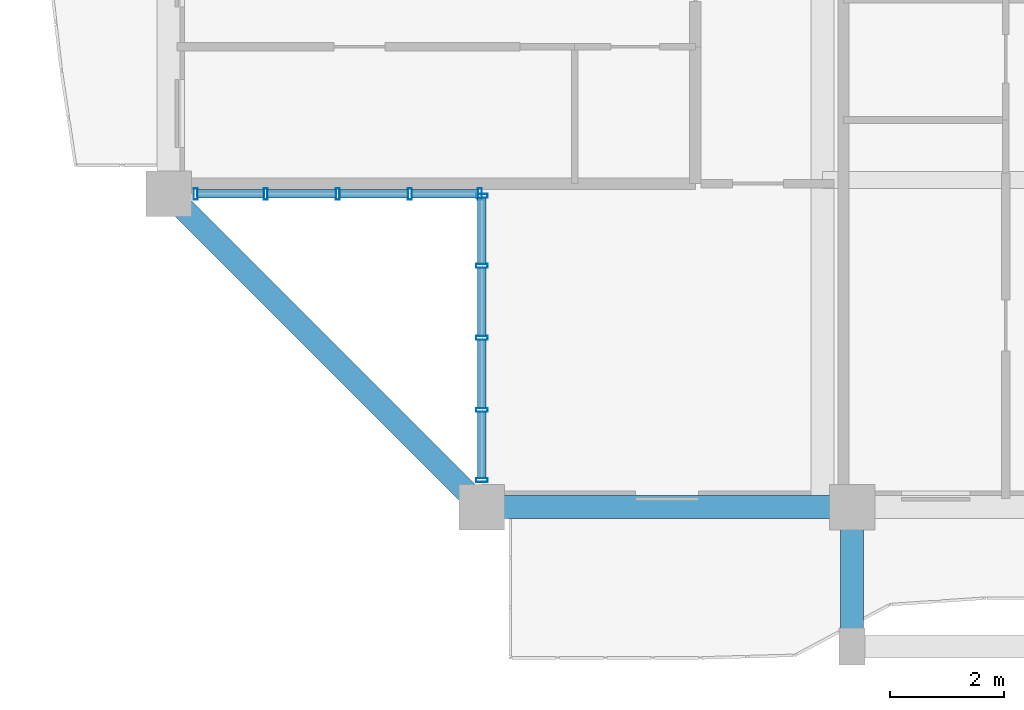
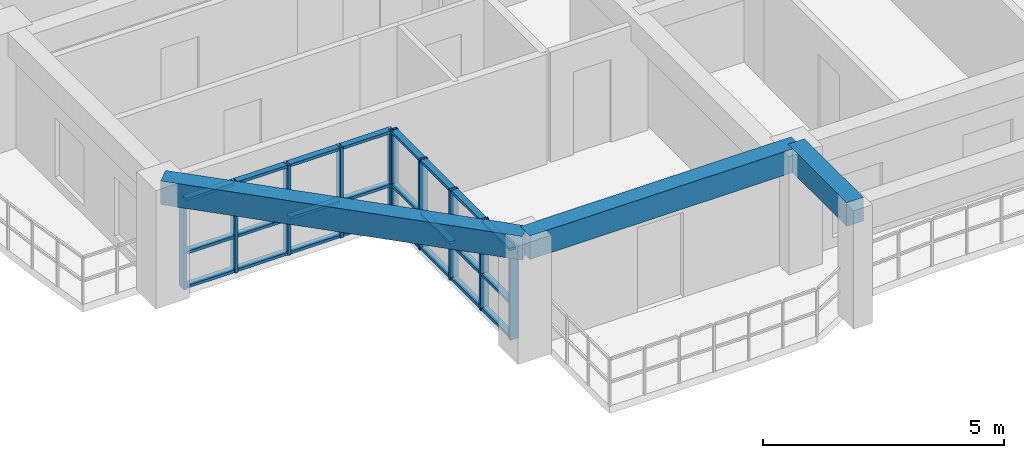
# One storey, part 2 of 22: 34 members, 3 beams, 2 elements without a shape of their own.
"""IFC4 building model written with IfcOpenShell, lengths in metres."""

from ifc_helpers import new_model, si_unit, direction, frame, origin, origin_2d, place, context, subcontext, project, spatial, rectangle, hollow_rectangle, extrude, source, transform, mapped, material, layer, layer_set, material_profile, profile_set, type_object, element, aggregate, save


model = new_model("IFC4")

# Units and contexts
model_context = context("Model", 3, precision=1e-05, world=origin(), true_north=direction((0.0, 1.0)))
body_context = subcontext(model_context, "Body", "Model", "MODEL_VIEW")
ifc_project = project(units=[si_unit("LENGTHUNIT", "METRE"), si_unit("AREAUNIT", "SQUARE_METRE"), si_unit("VOLUMEUNIT", "CUBIC_METRE"), si_unit("PLANEANGLEUNIT", "RADIAN"), si_unit("MASSUNIT", "GRAM", prefix="KILO")], contexts=[model_context])

# Site, building, storey
site_placement = place(None, origin())
site = spatial("IfcSite", under=ifc_project, at=site_placement, CompositionType="ELEMENT")
building_placement = place(site_placement, origin())
building = spatial("IfcBuilding", under=site, at=building_placement, Name="Saelheon Loggia Tower", CompositionType="ELEMENT")
storey_placement = place(building_placement, frame((0.0, 0.0, 196.60009765625)))
storey = spatial("IfcBuildingStorey", under=building, at=storey_placement, Name="L61", CompositionType="ELEMENT", Elevation=196.60009765625)

# Beams
ifc_material_1 = material(Name="Precast Concrete C45/55", Category="concrete")
ifc_material_profile_1 = material_profile(ifc_material_1, rectangle(XDim=0.39990234375, YDim=0.60009765625, at=origin_2d()), Name="RC-400x600")
ifc_profile_set_1 = profile_set([ifc_material_profile_1], Name="Precast Concrete C45/55")
beam_type_1 = type_object("IfcBeamType", Name="Beam_LoggiaTie_RC400x600", PredefinedType="BEAM", material=ifc_profile_set_1)
shared_shape_1 = source(origin(), body_context, "Body", "SweptSolid", [
    extrude(rectangle(XDim=0.39990234375, YDim=0.60009765625, at=origin_2d()), origin(), (0.0, 0.0, 1.0), 2.449951171875),
])
beam_1_placement = place(storey_placement, frame((31.5, 6.0, 2.699951171875), z_axis=(0.0, -1.0, 0.0), x_axis=(1.0, 0.0, 0.0)))
element("IfcBeam", 1, at=beam_1_placement, inside=storey, type_object=beam_type_1, Name="L61 Loggia Frame Tie Beam LP-S1", PredefinedType="BEAM", context=body_context, shape_type="MappedRepresentation", body=[
    mapped(shared_shape_1, transform((0.0, 0.0, 0.0), scale=1.0)),
])
ifc_material_2 = material(Name="Concrete C40/50", Category="concrete")
ifc_material_profile_2 = material_profile(ifc_material_2, rectangle(XDim=0.39990234375, YDim=0.60009765625, at=origin_2d()), Name="RC-400x600")
ifc_profile_set_2 = profile_set([ifc_material_profile_2], Name="Concrete C40/50")
beam_type_2 = type_object("IfcBeamType", Name="Beam_PerimUpper_RC400x600", PredefinedType="BEAM", material=ifc_profile_set_2)
shared_shape_2 = source(origin(), body_context, "Body", "SweptSolid", [
    extrude(rectangle(XDim=0.39990234375, YDim=0.60009765625, at=origin_2d()), origin(), (0.0, 0.0, 1.0), 6.5),
])
beam_2_placement = place(storey_placement, frame((25.0, 6.0, 2.699951171875), z_axis=(1.0, 0.0, 0.0), x_axis=(0.0, 1.0, 0.0)))
element("IfcBeam", 2, at=beam_2_placement, inside=storey, type_object=beam_type_2, Name="L61 Perimeter Frame Girder 01", PredefinedType="BEAM", context=body_context, shape_type="MappedRepresentation", body=[
    mapped(shared_shape_2, transform((0.0, 0.0, 0.0), scale=1.0)),
])
shared_shape_3 = source(origin(), body_context, "Body", "SweptSolid", [
    extrude(rectangle(XDim=0.39990234375, YDim=0.60009765625, at=origin_2d()), origin(), (0.0, 0.0, 1.0), 7.778076171875),
])
beam_3_placement = place(storey_placement, frame((19.5, 11.5, 2.699951171875), z_axis=(0.707106781187, -0.707106781187, 0.0), x_axis=(0.707106781187, 0.707106781187, 0.0)))
element("IfcBeam", 3, at=beam_3_placement, inside=storey, type_object=beam_type_2, Name="L61 Perimeter Frame Girder 16", PredefinedType="BEAM", context=body_context, shape_type="MappedRepresentation", body=[
    mapped(shared_shape_3, transform((0.0, 0.0, 0.0), scale=1.0)),
])

# Curtain wall, members
ifc_material_3 = material(Name="High-Wind Aluminium and Triple Laminated Glass", Category="aluminium")
ifc_layer = layer(ifc_material_3, 0.179931640625)
ifc_layer_set = layer_set([ifc_layer], Name="High-Wind Aluminium and Triple Laminated Glass")
curtain_wall_type = type_object("IfcCurtainWallType", Name="CW_TowerLoggiaHigh", PredefinedType="NOTDEFINED", material=ifc_layer_set)
curtain_wall_1_placement = place(storey_placement, origin())
curtain_wall_1 = element("IfcCurtainWall", 4, at=curtain_wall_1_placement, inside=storey, type_object=curtain_wall_type, Name="L61 Corner Notch Glazing SW1", PredefinedType="NOTDEFINED")
ifc_material_4 = material(Name="Anodised Aluminium 6063-T6", Category="aluminium")
ifc_material_profile_3 = material_profile(ifc_material_4, hollow_rectangle(XDim=0.070068359375, YDim=0.199951171875, WallThickness=0.0048828125, at=origin_2d()), Name="RHS-200x70x5")
ifc_profile_set_3 = profile_set([ifc_material_profile_3], Name="Anodised Aluminium 6063-T6")
member_type_1 = type_object("IfcMemberType", Name="CW_TowerLoggiaHigh_Mullion", PredefinedType="MULLION", material=ifc_profile_set_3)
shared_shape_4 = source(origin(), body_context, "Body", "SweptSolid", [
    extrude(hollow_rectangle(XDim=0.070068359375, YDim=0.199951171875, WallThickness=0.0048828125, at=origin_2d()), origin(), (0.0, 0.0, 1.0), 2.27978515625),
])
member_1_placement = place(storey_placement, frame((25.0, 6.47509765625, 0.0), z_axis=(0.0, 0.0, 1.0), x_axis=(0.0, 1.0, 0.0)))
member_1 = element("IfcMember", 5, at=member_1_placement, type_object=member_type_1, Name="CW4 mullion 1", PredefinedType="MULLION", context=body_context, shape_type="MappedRepresentation", body=[
    mapped(shared_shape_4, transform((0.0, 0.0, 0.0), scale=1.0)),
])
member_2_placement = place(storey_placement, frame((25.0, 7.705078125, 0.0), z_axis=(0.0, 0.0, 1.0), x_axis=(0.0, 1.0, 0.0)))
member_2 = element("IfcMember", 6, at=member_2_placement, type_object=member_type_1, Name="CW4 mullion 2", PredefinedType="MULLION", context=body_context, shape_type="MappedRepresentation", body=[
    mapped(shared_shape_4, transform((0.0, 0.0, 0.0), scale=1.0)),
])
member_3_placement = place(storey_placement, frame((25.0, 8.969970703125, 0.0), z_axis=(0.0, 0.0, 1.0), x_axis=(0.0, 1.0, 0.0)))
member_3 = element("IfcMember", 7, at=member_3_placement, type_object=member_type_1, Name="CW4 mullion 3", PredefinedType="MULLION", context=body_context, shape_type="MappedRepresentation", body=[
    mapped(shared_shape_4, transform((0.0, 0.0, 0.0), scale=1.0)),
])
member_4_placement = place(storey_placement, frame((25.0, 10.235107421875, 0.0), z_axis=(0.0, 0.0, 1.0), x_axis=(0.0, 1.0, 0.0)))
member_4 = element("IfcMember", 8, at=member_4_placement, type_object=member_type_1, Name="CW4 mullion 4", PredefinedType="MULLION", context=body_context, shape_type="MappedRepresentation", body=[
    mapped(shared_shape_4, transform((0.0, 0.0, 0.0), scale=1.0)),
])
member_5_placement = place(storey_placement, frame((25.0, 11.465087890625, 0.0), z_axis=(0.0, 0.0, 1.0), x_axis=(0.0, 1.0, 0.0)))
member_5 = element("IfcMember", 9, at=member_5_placement, type_object=member_type_1, Name="CW4 mullion 5", PredefinedType="MULLION", context=body_context, shape_type="MappedRepresentation", body=[
    mapped(shared_shape_4, transform((0.0, 0.0, 0.0), scale=1.0)),
])

curtain_wall_2_placement = place(storey_placement, origin())
curtain_wall_2 = element("IfcCurtainWall", 10, at=curtain_wall_2_placement, inside=storey, type_object=curtain_wall_type, Name="L61 Corner Notch Glazing SW2", PredefinedType="NOTDEFINED")
member_6_placement = place(storey_placement, frame((19.97509765625, 11.5, 0.0), z_axis=(0.0, 0.0, 1.0), x_axis=(1.0, 0.0, 0.0)))
member_6 = element("IfcMember", 11, at=member_6_placement, type_object=member_type_1, Name="CW4 mullion 1", PredefinedType="MULLION", context=body_context, shape_type="MappedRepresentation", body=[
    mapped(shared_shape_4, transform((0.0, 0.0, 0.0), scale=1.0)),
])
member_7_placement = place(storey_placement, frame((21.205078125, 11.5, 0.0), z_axis=(0.0, 0.0, 1.0), x_axis=(1.0, 0.0, 0.0)))
member_7 = element("IfcMember", 12, at=member_7_placement, type_object=member_type_1, Name="CW4 mullion 2", PredefinedType="MULLION", context=body_context, shape_type="MappedRepresentation", body=[
    mapped(shared_shape_4, transform((0.0, 0.0, 0.0), scale=1.0)),
])
member_8_placement = place(storey_placement, frame((22.469970703125, 11.5, 0.0), z_axis=(0.0, 0.0, 1.0), x_axis=(1.0, 0.0, 0.0)))
member_8 = element("IfcMember", 13, at=member_8_placement, type_object=member_type_1, Name="CW4 mullion 3", PredefinedType="MULLION", context=body_context, shape_type="MappedRepresentation", body=[
    mapped(shared_shape_4, transform((0.0, 0.0, 0.0), scale=1.0)),
])
member_9_placement = place(storey_placement, frame((23.735107421875, 11.5, 0.0), z_axis=(0.0, 0.0, 1.0), x_axis=(1.0, 0.0, 0.0)))
member_9 = element("IfcMember", 14, at=member_9_placement, type_object=member_type_1, Name="CW4 mullion 4", PredefinedType="MULLION", context=body_context, shape_type="MappedRepresentation", body=[
    mapped(shared_shape_4, transform((0.0, 0.0, 0.0), scale=1.0)),
])
member_10_placement = place(storey_placement, frame((24.965087890625, 11.5, 0.0), z_axis=(0.0, 0.0, 1.0), x_axis=(1.0, 0.0, 0.0)))
member_10 = element("IfcMember", 15, at=member_10_placement, type_object=member_type_1, Name="CW4 mullion 5", PredefinedType="MULLION", context=body_context, shape_type="MappedRepresentation", body=[
    mapped(shared_shape_4, transform((0.0, 0.0, 0.0), scale=1.0)),
])

# Member
ifc_material_profile_4 = material_profile(ifc_material_4, hollow_rectangle(XDim=0.070068359375, YDim=0.14990234375, WallThickness=0.0048828125, at=origin_2d()), Name="RHS-150x70x5")
ifc_profile_set_4 = profile_set([ifc_material_profile_4], Name="Anodised Aluminium 6063-T6")
member_type_2 = type_object("IfcMemberType", Name="CW_TowerLoggiaHigh_Transom", PredefinedType="USERDEFINED", material=ifc_profile_set_4)
shared_shape_5 = source(origin(), body_context, "Body", "SweptSolid", [
    extrude(hollow_rectangle(XDim=0.070068359375, YDim=0.14990234375, WallThickness=0.0048828125, at=origin_2d()), origin(), (0.0, 0.0, 1.0), 1.159912109375),
])
member_11_placement = place(storey_placement, frame((25.0, 6.510009765625, 0.034912109375), z_axis=(0.0, 1.0, 0.0), x_axis=(0.0, 0.0, 1.0)))
member_11 = element("IfcMember", 16, at=member_11_placement, type_object=member_type_2, Name="CW4 transom 1.1", ObjectType="TRANSOM", PredefinedType="USERDEFINED", context=body_context, shape_type="MappedRepresentation", body=[
    mapped(shared_shape_5, transform((0.0, 0.0, 0.0), scale=1.0)),
])

member_12_placement = place(storey_placement, frame((25.0, 6.510009765625, 0.89990234375), z_axis=(0.0, 1.0, 0.0), x_axis=(0.0, 0.0, 1.0)))
member_12 = element("IfcMember", 17, at=member_12_placement, type_object=member_type_2, Name="CW4 transom 1.2", ObjectType="TRANSOM", PredefinedType="USERDEFINED", context=body_context, shape_type="MappedRepresentation", body=[
    mapped(shared_shape_5, transform((0.0, 0.0, 0.0), scale=1.0)),
])

member_13_placement = place(storey_placement, frame((25.0, 6.510009765625, 2.244873046875), z_axis=(0.0, 1.0, 0.0), x_axis=(0.0, 0.0, 1.0)))
member_13 = element("IfcMember", 18, at=member_13_placement, type_object=member_type_2, Name="CW4 transom 1.3", ObjectType="TRANSOM", PredefinedType="USERDEFINED", context=body_context, shape_type="MappedRepresentation", body=[
    mapped(shared_shape_5, transform((0.0, 0.0, 0.0), scale=1.0)),
])

member_14_placement = place(storey_placement, frame((25.0, 10.27001953125, 0.034912109375), z_axis=(0.0, 1.0, 0.0), x_axis=(0.0, 0.0, 1.0)))
member_14 = element("IfcMember", 19, at=member_14_placement, type_object=member_type_2, Name="CW4 transom 4.1", ObjectType="TRANSOM", PredefinedType="USERDEFINED", context=body_context, shape_type="MappedRepresentation", body=[
    mapped(shared_shape_5, transform((0.0, 0.0, 0.0), scale=1.0)),
])

member_15_placement = place(storey_placement, frame((25.0, 10.27001953125, 0.89990234375), z_axis=(0.0, 1.0, 0.0), x_axis=(0.0, 0.0, 1.0)))
member_15 = element("IfcMember", 20, at=member_15_placement, type_object=member_type_2, Name="CW4 transom 4.2", ObjectType="TRANSOM", PredefinedType="USERDEFINED", context=body_context, shape_type="MappedRepresentation", body=[
    mapped(shared_shape_5, transform((0.0, 0.0, 0.0), scale=1.0)),
])

member_16_placement = place(storey_placement, frame((25.0, 10.27001953125, 2.244873046875), z_axis=(0.0, 1.0, 0.0), x_axis=(0.0, 0.0, 1.0)))
member_16 = element("IfcMember", 21, at=member_16_placement, type_object=member_type_2, Name="CW4 transom 4.3", ObjectType="TRANSOM", PredefinedType="USERDEFINED", context=body_context, shape_type="MappedRepresentation", body=[
    mapped(shared_shape_5, transform((0.0, 0.0, 0.0), scale=1.0)),
])

member_17_placement = place(storey_placement, frame((20.010009765625, 11.5, 0.034912109375), z_axis=(1.0, 0.0, 0.0), x_axis=(0.0, 0.0, 1.0)))
member_17 = element("IfcMember", 22, at=member_17_placement, type_object=member_type_2, Name="CW4 transom 1.1", ObjectType="TRANSOM", PredefinedType="USERDEFINED", context=body_context, shape_type="MappedRepresentation", body=[
    mapped(shared_shape_5, transform((0.0, 0.0, 0.0), scale=1.0)),
])

member_18_placement = place(storey_placement, frame((20.010009765625, 11.5, 0.89990234375), z_axis=(1.0, 0.0, 0.0), x_axis=(0.0, 0.0, 1.0)))
member_18 = element("IfcMember", 23, at=member_18_placement, type_object=member_type_2, Name="CW4 transom 1.2", ObjectType="TRANSOM", PredefinedType="USERDEFINED", context=body_context, shape_type="MappedRepresentation", body=[
    mapped(shared_shape_5, transform((0.0, 0.0, 0.0), scale=1.0)),
])

member_19_placement = place(storey_placement, frame((20.010009765625, 11.5, 2.244873046875), z_axis=(1.0, 0.0, 0.0), x_axis=(0.0, 0.0, 1.0)))
member_19 = element("IfcMember", 24, at=member_19_placement, type_object=member_type_2, Name="CW4 transom 1.3", ObjectType="TRANSOM", PredefinedType="USERDEFINED", context=body_context, shape_type="MappedRepresentation", body=[
    mapped(shared_shape_5, transform((0.0, 0.0, 0.0), scale=1.0)),
])

member_20_placement = place(storey_placement, frame((23.77001953125, 11.5, 0.034912109375), z_axis=(1.0, 0.0, 0.0), x_axis=(0.0, 0.0, 1.0)))
member_20 = element("IfcMember", 25, at=member_20_placement, type_object=member_type_2, Name="CW4 transom 4.1", ObjectType="TRANSOM", PredefinedType="USERDEFINED", context=body_context, shape_type="MappedRepresentation", body=[
    mapped(shared_shape_5, transform((0.0, 0.0, 0.0), scale=1.0)),
])

member_21_placement = place(storey_placement, frame((23.77001953125, 11.5, 0.89990234375), z_axis=(1.0, 0.0, 0.0), x_axis=(0.0, 0.0, 1.0)))
member_21 = element("IfcMember", 26, at=member_21_placement, type_object=member_type_2, Name="CW4 transom 4.2", ObjectType="TRANSOM", PredefinedType="USERDEFINED", context=body_context, shape_type="MappedRepresentation", body=[
    mapped(shared_shape_5, transform((0.0, 0.0, 0.0), scale=1.0)),
])

member_22_placement = place(storey_placement, frame((23.77001953125, 11.5, 2.244873046875), z_axis=(1.0, 0.0, 0.0), x_axis=(0.0, 0.0, 1.0)))
member_22 = element("IfcMember", 27, at=member_22_placement, type_object=member_type_2, Name="CW4 transom 4.3", ObjectType="TRANSOM", PredefinedType="USERDEFINED", context=body_context, shape_type="MappedRepresentation", body=[
    mapped(shared_shape_5, transform((0.0, 0.0, 0.0), scale=1.0)),
])

shared_shape_6 = source(origin(), body_context, "Body", "SweptSolid", [
    extrude(hollow_rectangle(XDim=0.070068359375, YDim=0.14990234375, WallThickness=0.0048828125, at=origin_2d()), origin(), (0.0, 0.0, 1.0), 1.195068359375),
])
member_23_placement = place(storey_placement, frame((25.0, 7.739990234375, 0.034912109375), z_axis=(0.0, 1.0, 0.0), x_axis=(0.0, 0.0, 1.0)))
member_23 = element("IfcMember", 28, at=member_23_placement, type_object=member_type_2, Name="CW4 transom 2.1", ObjectType="TRANSOM", PredefinedType="USERDEFINED", context=body_context, shape_type="MappedRepresentation", body=[
    mapped(shared_shape_6, transform((0.0, 0.0, 0.0), scale=1.0)),
])

member_24_placement = place(storey_placement, frame((25.0, 7.739990234375, 0.89990234375), z_axis=(0.0, 1.0, 0.0), x_axis=(0.0, 0.0, 1.0)))
member_24 = element("IfcMember", 29, at=member_24_placement, type_object=member_type_2, Name="CW4 transom 2.2", ObjectType="TRANSOM", PredefinedType="USERDEFINED", context=body_context, shape_type="MappedRepresentation", body=[
    mapped(shared_shape_6, transform((0.0, 0.0, 0.0), scale=1.0)),
])

member_25_placement = place(storey_placement, frame((25.0, 7.739990234375, 2.244873046875), z_axis=(0.0, 1.0, 0.0), x_axis=(0.0, 0.0, 1.0)))
member_25 = element("IfcMember", 30, at=member_25_placement, type_object=member_type_2, Name="CW4 transom 2.3", ObjectType="TRANSOM", PredefinedType="USERDEFINED", context=body_context, shape_type="MappedRepresentation", body=[
    mapped(shared_shape_6, transform((0.0, 0.0, 0.0), scale=1.0)),
])

member_26_placement = place(storey_placement, frame((25.0, 9.0048828125, 0.034912109375), z_axis=(0.0, 1.0, 0.0), x_axis=(0.0, 0.0, 1.0)))
member_26 = element("IfcMember", 31, at=member_26_placement, type_object=member_type_2, Name="CW4 transom 3.1", ObjectType="TRANSOM", PredefinedType="USERDEFINED", context=body_context, shape_type="MappedRepresentation", body=[
    mapped(shared_shape_6, transform((0.0, 0.0, 0.0), scale=1.0)),
])

member_27_placement = place(storey_placement, frame((25.0, 9.0048828125, 0.89990234375), z_axis=(0.0, 1.0, 0.0), x_axis=(0.0, 0.0, 1.0)))
member_27 = element("IfcMember", 32, at=member_27_placement, type_object=member_type_2, Name="CW4 transom 3.2", ObjectType="TRANSOM", PredefinedType="USERDEFINED", context=body_context, shape_type="MappedRepresentation", body=[
    mapped(shared_shape_6, transform((0.0, 0.0, 0.0), scale=1.0)),
])

member_28_placement = place(storey_placement, frame((25.0, 9.0048828125, 2.244873046875), z_axis=(0.0, 1.0, 0.0), x_axis=(0.0, 0.0, 1.0)))
member_28 = element("IfcMember", 33, at=member_28_placement, type_object=member_type_2, Name="CW4 transom 3.3", ObjectType="TRANSOM", PredefinedType="USERDEFINED", context=body_context, shape_type="MappedRepresentation", body=[
    mapped(shared_shape_6, transform((0.0, 0.0, 0.0), scale=1.0)),
])

aggregate(curtain_wall_1, [member_1, member_2, member_3, member_4, member_5, member_11, member_12, member_13, member_23, member_24, member_25, member_26, member_27, member_28, member_14, member_15, member_16])

member_29_placement = place(storey_placement, frame((21.239990234375, 11.5, 0.034912109375), z_axis=(1.0, 0.0, 0.0), x_axis=(0.0, 0.0, 1.0)))
member_29 = element("IfcMember", 34, at=member_29_placement, type_object=member_type_2, Name="CW4 transom 2.1", ObjectType="TRANSOM", PredefinedType="USERDEFINED", context=body_context, shape_type="MappedRepresentation", body=[
    mapped(shared_shape_6, transform((0.0, 0.0, 0.0), scale=1.0)),
])

member_30_placement = place(storey_placement, frame((21.239990234375, 11.5, 0.89990234375), z_axis=(1.0, 0.0, 0.0), x_axis=(0.0, 0.0, 1.0)))
member_30 = element("IfcMember", 35, at=member_30_placement, type_object=member_type_2, Name="CW4 transom 2.2", ObjectType="TRANSOM", PredefinedType="USERDEFINED", context=body_context, shape_type="MappedRepresentation", body=[
    mapped(shared_shape_6, transform((0.0, 0.0, 0.0), scale=1.0)),
])

member_31_placement = place(storey_placement, frame((21.239990234375, 11.5, 2.244873046875), z_axis=(1.0, 0.0, 0.0), x_axis=(0.0, 0.0, 1.0)))
member_31 = element("IfcMember", 36, at=member_31_placement, type_object=member_type_2, Name="CW4 transom 2.3", ObjectType="TRANSOM", PredefinedType="USERDEFINED", context=body_context, shape_type="MappedRepresentation", body=[
    mapped(shared_shape_6, transform((0.0, 0.0, 0.0), scale=1.0)),
])

member_32_placement = place(storey_placement, frame((22.5048828125, 11.5, 0.034912109375), z_axis=(1.0, 0.0, 0.0), x_axis=(0.0, 0.0, 1.0)))
member_32 = element("IfcMember", 37, at=member_32_placement, type_object=member_type_2, Name="CW4 transom 3.1", ObjectType="TRANSOM", PredefinedType="USERDEFINED", context=body_context, shape_type="MappedRepresentation", body=[
    mapped(shared_shape_6, transform((0.0, 0.0, 0.0), scale=1.0)),
])

member_33_placement = place(storey_placement, frame((22.5048828125, 11.5, 0.89990234375), z_axis=(1.0, 0.0, 0.0), x_axis=(0.0, 0.0, 1.0)))
member_33 = element("IfcMember", 38, at=member_33_placement, type_object=member_type_2, Name="CW4 transom 3.2", ObjectType="TRANSOM", PredefinedType="USERDEFINED", context=body_context, shape_type="MappedRepresentation", body=[
    mapped(shared_shape_6, transform((0.0, 0.0, 0.0), scale=1.0)),
])

member_34_placement = place(storey_placement, frame((22.5048828125, 11.5, 2.244873046875), z_axis=(1.0, 0.0, 0.0), x_axis=(0.0, 0.0, 1.0)))
member_34 = element("IfcMember", 39, at=member_34_placement, type_object=member_type_2, Name="CW4 transom 3.3", ObjectType="TRANSOM", PredefinedType="USERDEFINED", context=body_context, shape_type="MappedRepresentation", body=[
    mapped(shared_shape_6, transform((0.0, 0.0, 0.0), scale=1.0)),
])

aggregate(curtain_wall_2, [member_6, member_7, member_8, member_9, member_10, member_17, member_18, member_19, member_29, member_30, member_31, member_32, member_33, member_34, member_20, member_21, member_22])

save(model, "model.ifc")
